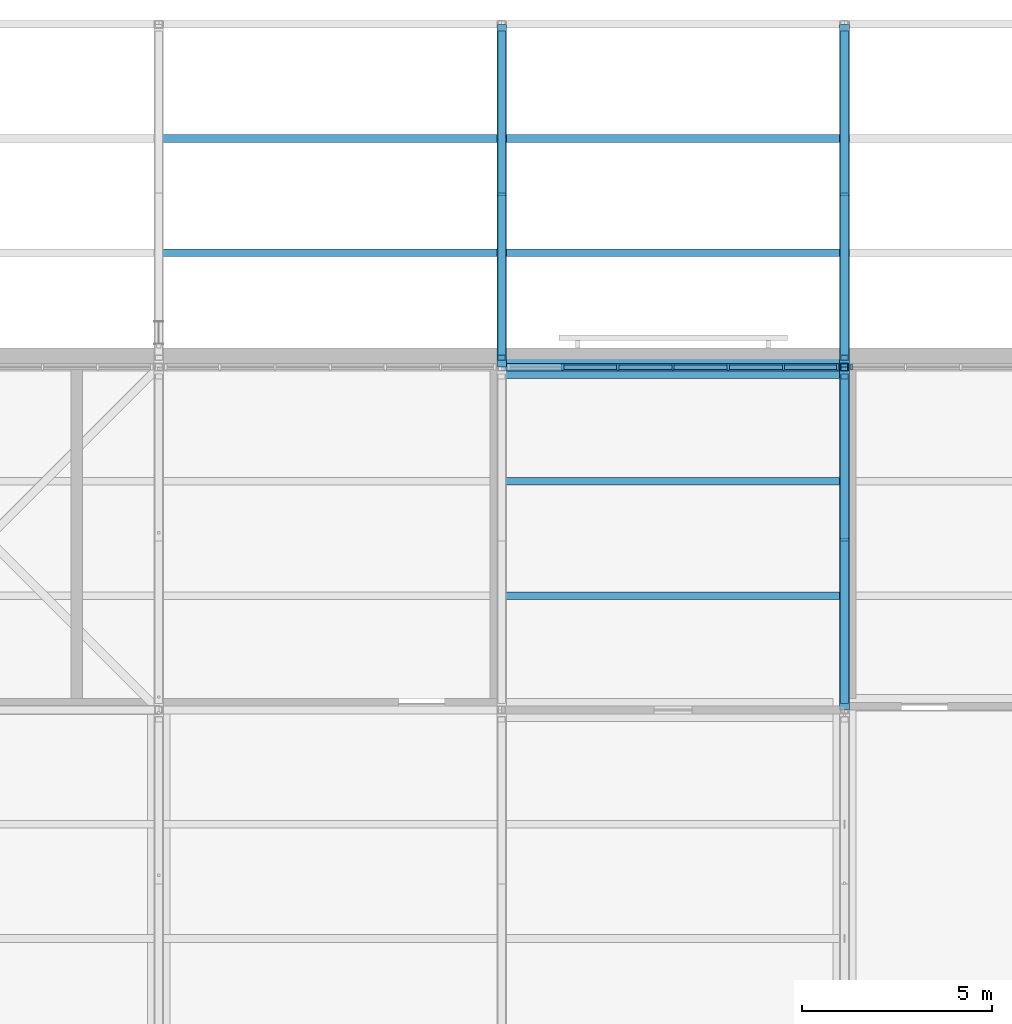
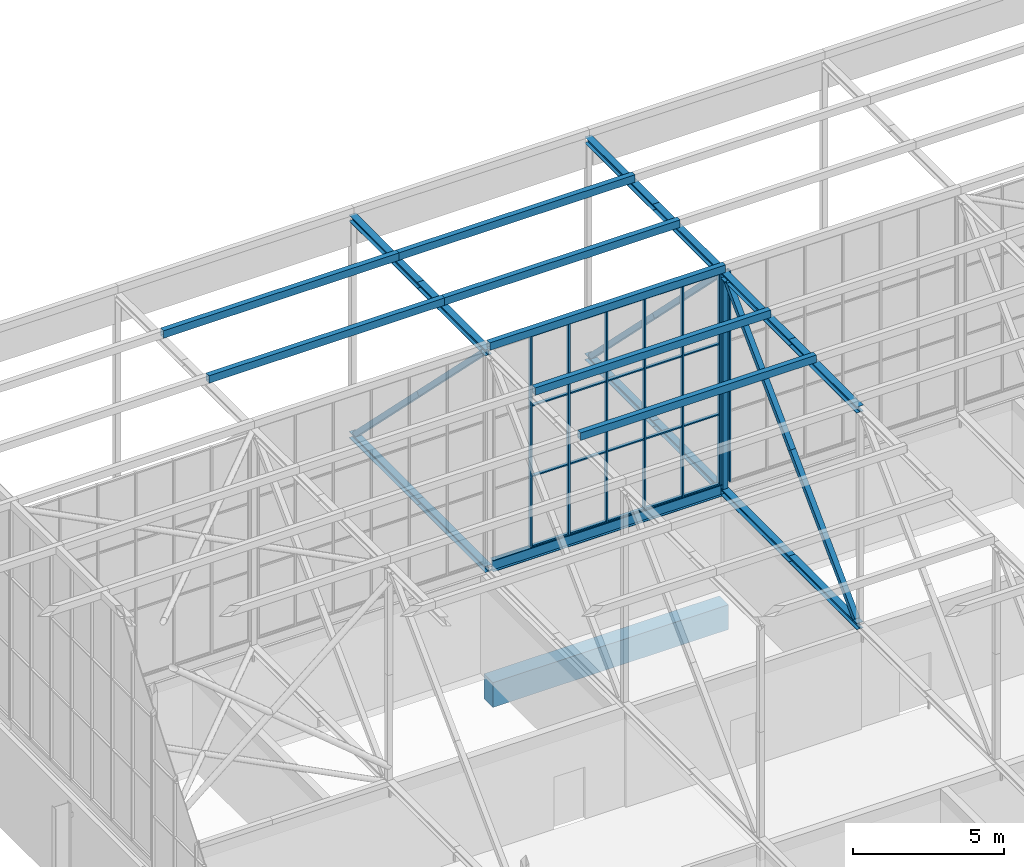
# One storey, part 115 of 646: 54 members, 2 beams, 2 elements without a shape of their own.
"""IFC4 building model written with IfcOpenShell, lengths in metres."""

from ifc_helpers import new_model, si_unit, direction, frame, origin, origin_2d, place, context, subcontext, project, spatial, rectangle, hollow_rectangle, i_section, extrude, material, material_profile, profile_set, type_object, element, aggregate, save


model = new_model("IFC4")

# Units and contexts
model_context = context("Model", 3, precision=1e-05, world=origin(), true_north=direction((0.0, 1.0)))
body_context = subcontext(model_context, "Body", "Model", "MODEL_VIEW")
ifc_project = project(units=[si_unit("LENGTHUNIT", "METRE"), si_unit("AREAUNIT", "SQUARE_METRE"), si_unit("VOLUMEUNIT", "CUBIC_METRE"), si_unit("PLANEANGLEUNIT", "RADIAN"), si_unit("MASSUNIT", "GRAM", prefix="KILO")], contexts=[model_context])

# Site, building, storey
site_placement = place(None, origin())
site = spatial("IfcSite", under=ifc_project, at=site_placement, CompositionType="ELEMENT")
building_placement = place(site_placement, origin())
building = spatial("IfcBuilding", under=site, at=building_placement, Name="Silverbay Arena", CompositionType="ELEMENT")
storey_placement = place(building_placement, frame((0.0, 0.0, 33.5)))
storey = spatial("IfcBuildingStorey", under=building, at=storey_placement, Name="L05", CompositionType="ELEMENT", Elevation=33.5)

# Members
ifc_material_1 = material(Name="Steel S355", Category="steel")
ifc_material_profile_1 = material_profile(ifc_material_1, i_section(OverallWidth=0.254638671875, OverallDepth=0.254150390625, WebThickness=0.008544921875, FlangeThickness=0.01416015625, at=origin_2d()), Name="UC 254x254x73")
ifc_profile_set_1 = profile_set([ifc_material_profile_1], Name="Steel S355")
member_type_1 = type_object("IfcMemberType", Name="Long-span bottom chord UC 254x254x73", PredefinedType="CHORD", material=ifc_profile_set_1)
for number, where, z_axis, x_axis, name in (
    (1, (81.0, 135.0, 4.126953125), (0.0, 1.0, 0.0), (-1.0, 0.0, 0.0), "ROOF TRUSS 10 bottom chord 15a"),
    (2, (81.0, 139.5, 4.126953125), (0.0, 1.0, 0.0), (-1.0, 0.0, 0.0), "ROOF TRUSS 10 bottom chord 15b"),
    (3, (81.0, 144.0, 4.126953125), (0.0, 1.0, 0.0), (-1.0, 0.0, 0.0), "ROOF TRUSS 10 bottom chord 16a"),
    (4, (81.0, 148.5, 4.126953125), (0.0, 1.0, 0.0), (-1.0, 0.0, 0.0), "ROOF TRUSS 10 bottom chord 16b"),
):
    element("IfcMember", number, at=place(storey_placement, frame(where, z_axis=z_axis, x_axis=x_axis)), inside=storey, type_object=member_type_1, Name=name, PredefinedType="CHORD", context=body_context, shape_type="SweptSolid", body=[
        extrude(i_section(OverallWidth=0.254638671875, OverallDepth=0.254150390625, WebThickness=0.008544921875, FlangeThickness=0.01416015625, at=origin_2d()), origin(), (0.0, 0.0, 1.0), 4.5),
    ])
ifc_material_2 = material(Name="Steel S355", Category="steel")
ifc_material_profile_2 = material_profile(ifc_material_2, i_section(OverallWidth=0.254638671875, OverallDepth=0.254150390625, WebThickness=0.008544921875, FlangeThickness=0.01416015625, at=origin_2d()), Name="UC 254x254x73")
ifc_profile_set_2 = profile_set([ifc_material_profile_2], Name="Steel S355")
member_type_2 = type_object("IfcMemberType", Name="Long-span top chord UC 254x254x73", PredefinedType="CHORD", material=ifc_profile_set_2)
for number, where, z_axis, x_axis, name in (
    (5, (81.0, 135.0, 12.873046875), (0.0, 1.0, 0.0), (-1.0, 0.0, 0.0), "ROOF TRUSS 10 top chord 15a"),
    (6, (81.0, 139.5, 12.873046875), (0.0, 1.0, 0.0), (-1.0, 0.0, 0.0), "ROOF TRUSS 10 top chord 15b"),
    (7, (81.0, 144.0, 12.873046875), (0.0, 1.0, 0.0), (-1.0, 0.0, 0.0), "ROOF TRUSS 10 top chord 16a"),
    (8, (81.0, 148.5, 12.873046875), (0.0, 1.0, 0.0), (-1.0, 0.0, 0.0), "ROOF TRUSS 10 top chord 16b"),
):
    element("IfcMember", number, at=place(storey_placement, frame(where, z_axis=z_axis, x_axis=x_axis)), inside=storey, type_object=member_type_2, Name=name, PredefinedType="CHORD", context=body_context, shape_type="SweptSolid", body=[
        extrude(i_section(OverallWidth=0.254638671875, OverallDepth=0.254150390625, WebThickness=0.008544921875, FlangeThickness=0.01416015625, at=origin_2d()), origin(), (0.0, 0.0, 1.0), 4.5),
    ])
ifc_material_3 = material(Name="Steel S355", Category="steel")
ifc_material_profile_3 = material_profile(ifc_material_3, hollow_rectangle(XDim=0.199951171875, YDim=0.199951171875, WallThickness=0.008056640625, at=origin_2d()), Name="SHS 200x200x8")
ifc_profile_set_3 = profile_set([ifc_material_profile_3], Name="Steel S355")
member_type_3 = type_object("IfcMemberType", Name="Long-span truss diagonal SHS 200x200x8", PredefinedType="BRACE", material=ifc_profile_set_3)
for number, where, z_axis, x_axis, name in (
    (9, (81.0, 143.75439453125, 12.745849609375), (0.0, -0.70781724692, -0.706395600894), (1.0, 0.0, 0.0), "ROOF TRUSS 10 diagonal 15a"),
    (10, (81.0, 139.5, 8.5), (0.0, -0.70781724692, -0.706395600894), (1.0, 0.0, 0.0), "ROOF TRUSS 10 diagonal 15b"),
    (11, (81.0, 144.24560546875, 12.745849609375), (0.0, 0.70781724692, -0.706395600894), (-1.0, 0.0, 0.0), "ROOF TRUSS 10 diagonal 16a"),
    (12, (81.0, 148.5, 8.5), (0.0, 0.70781724692, -0.706395600894), (-1.0, 0.0, 0.0), "ROOF TRUSS 10 diagonal 16b"),
):
    element("IfcMember", number, at=place(storey_placement, frame(where, z_axis=z_axis, x_axis=x_axis)), inside=storey, type_object=member_type_3, Name=name, PredefinedType="BRACE", context=body_context, shape_type="SweptSolid", body=[
        extrude(hollow_rectangle(XDim=0.199951171875, YDim=0.199951171875, WallThickness=0.008056640625, at=origin_2d()), origin(), (0.0, 0.0, 1.0), 6.010498046875),
    ])
ifc_material_4 = material(Name="Steel S355", Category="steel")
ifc_material_profile_4 = material_profile(ifc_material_4, hollow_rectangle(XDim=0.199951171875, YDim=0.199951171875, WallThickness=0.008056640625, at=origin_2d()), Name="SHS 200x200x8")
ifc_profile_set_4 = profile_set([ifc_material_profile_4], Name="Steel S355")
member_type_4 = type_object("IfcMemberType", Name="Long-span truss vertical SHS 200x200x8", PredefinedType="STRUT", material=ifc_profile_set_4)
for number, where, z_axis, x_axis, name in (
    (13, (81.0, 144.0, 4.254150390625), (0.0, 0.0, 1.0), (1.0, 0.0, 0.0), "ROOF TRUSS 10 vertical 16a"),
    (14, (81.0, 144.0, 8.5), (0.0, 0.0, 1.0), (1.0, 0.0, 0.0), "ROOF TRUSS 10 vertical 16b"),
):
    element("IfcMember", number, at=place(storey_placement, frame(where, z_axis=z_axis, x_axis=x_axis)), inside=storey, type_object=member_type_4, Name=name, PredefinedType="STRUT", context=body_context, shape_type="SweptSolid", body=[
        extrude(hollow_rectangle(XDim=0.199951171875, YDim=0.199951171875, WallThickness=0.008056640625, at=origin_2d()), origin(), (0.0, 0.0, 1.0), 4.245849609375),
    ])
ifc_material_5 = material(Name="Steel S355", Category="steel")
ifc_material_profile_5 = material_profile(ifc_material_5, i_section(OverallWidth=0.254638671875, OverallDepth=0.254150390625, WebThickness=0.008544921875, FlangeThickness=0.01416015625, at=origin_2d()), Name="UC 254x254x73")
ifc_profile_set_5 = profile_set([ifc_material_profile_5], Name="Steel S355")
member_type_5 = type_object("IfcMemberType", Name="Medium-span bottom chord UC 254x254x73", PredefinedType="CHORD", material=ifc_profile_set_5)
for number, where, z_axis, x_axis, name in (
    (15, (72.0, 144.0, 4.126953125), (0.0, 1.0, 0.0), (-1.0, 0.0, 0.0), "ROOF TRUSS 9 bottom chord 16a"),
    (16, (72.0, 148.5, 4.126953125), (0.0, 1.0, 0.0), (-1.0, 0.0, 0.0), "ROOF TRUSS 9 bottom chord 16b"),
):
    element("IfcMember", number, at=place(storey_placement, frame(where, z_axis=z_axis, x_axis=x_axis)), inside=storey, type_object=member_type_5, Name=name, PredefinedType="CHORD", context=body_context, shape_type="SweptSolid", body=[
        extrude(i_section(OverallWidth=0.254638671875, OverallDepth=0.254150390625, WebThickness=0.008544921875, FlangeThickness=0.01416015625, at=origin_2d()), origin(), (0.0, 0.0, 1.0), 4.5),
    ])
ifc_material_6 = material(Name="Steel S355", Category="steel")
ifc_material_profile_6 = material_profile(ifc_material_6, i_section(OverallWidth=0.254638671875, OverallDepth=0.254150390625, WebThickness=0.008544921875, FlangeThickness=0.01416015625, at=origin_2d()), Name="UC 254x254x73")
ifc_profile_set_6 = profile_set([ifc_material_profile_6], Name="Steel S355")
member_type_6 = type_object("IfcMemberType", Name="Medium-span top chord UC 254x254x73", PredefinedType="CHORD", material=ifc_profile_set_6)
for number, where, z_axis, x_axis, name in (
    (17, (72.0, 144.0, 12.873046875), (0.0, 1.0, 0.0), (-1.0, 0.0, 0.0), "ROOF TRUSS 9 top chord 16a"),
    (18, (72.0, 148.5, 12.873046875), (0.0, 1.0, 0.0), (-1.0, 0.0, 0.0), "ROOF TRUSS 9 top chord 16b"),
):
    element("IfcMember", number, at=place(storey_placement, frame(where, z_axis=z_axis, x_axis=x_axis)), inside=storey, type_object=member_type_6, Name=name, PredefinedType="CHORD", context=body_context, shape_type="SweptSolid", body=[
        extrude(i_section(OverallWidth=0.254638671875, OverallDepth=0.254150390625, WebThickness=0.008544921875, FlangeThickness=0.01416015625, at=origin_2d()), origin(), (0.0, 0.0, 1.0), 4.5),
    ])
ifc_material_7 = material(Name="Steel S355", Category="steel")
ifc_material_profile_7 = material_profile(ifc_material_7, hollow_rectangle(XDim=0.199951171875, YDim=0.199951171875, WallThickness=0.008056640625, at=origin_2d()), Name="SHS 200x200x8")
ifc_profile_set_7 = profile_set([ifc_material_profile_7], Name="Steel S355")
member_type_7 = type_object("IfcMemberType", Name="Medium-span truss diagonal SHS 200x200x8", PredefinedType="BRACE", material=ifc_profile_set_7)
for number, where, z_axis, x_axis, name in (
    (19, (72.0, 144.24560546875, 12.745849609375), (0.0, 0.70781724692, -0.706395600894), (-1.0, 0.0, 0.0), "ROOF TRUSS 9 diagonal 16a"),
    (20, (72.0, 148.5, 8.5), (0.0, 0.70781724692, -0.706395600894), (-1.0, 0.0, 0.0), "ROOF TRUSS 9 diagonal 16b"),
):
    element("IfcMember", number, at=place(storey_placement, frame(where, z_axis=z_axis, x_axis=x_axis)), inside=storey, type_object=member_type_7, Name=name, PredefinedType="BRACE", context=body_context, shape_type="SweptSolid", body=[
        extrude(hollow_rectangle(XDim=0.199951171875, YDim=0.199951171875, WallThickness=0.008056640625, at=origin_2d()), origin(), (0.0, 0.0, 1.0), 6.010498046875),
    ])

# Curtain wall, members
ifc_material_8 = material(Name="Aluminium framed glazing", Category="aluminium")
curtain_wall_type = type_object("IfcCurtainWallType", Name="Curtain wall clerestory 8693 x 8540", PredefinedType="NOTDEFINED", material=ifc_material_8)
curtain_wall_1_placement = place(storey_placement, origin())
curtain_wall_1 = element("IfcCurtainWall", 21, at=curtain_wall_1_placement, inside=storey, type_object=curtain_wall_type, Name="ROOF CLERESTORY CURTAIN WALL north bay 03", PredefinedType="NOTDEFINED")
ifc_material_9 = material(Name="Aluminium", Category="aluminium")
ifc_material_profile_8 = material_profile(ifc_material_9, rectangle(XDim=0.159912109375, YDim=0.06005859375, at=origin_2d()), Name="Mullion 60 x 160")
ifc_profile_set_8 = profile_set([ifc_material_profile_8], Name="Aluminium")
member_type_8 = type_object("IfcMemberType", Name="Mullion 60 x 160", PredefinedType="MULLION", material=ifc_profile_set_8)
member_1_placement = place(storey_placement, frame((73.6025390625, 144.0, 4.4599609375), z_axis=(0.0, 0.0, 1.0), x_axis=(0.0, 1.0, 0.0)))
member_1 = element("IfcMember", 22, at=member_1_placement, type_object=member_type_8, Name="CW55 mullion 2", PredefinedType="MULLION", context=body_context, shape_type="SweptSolid", body=[
    extrude(rectangle(XDim=0.159912109375, YDim=0.06005859375, at=origin_2d()), origin(), (0.0, 0.0, 1.0), 8.5400390625),
])
member_2_placement = place(storey_placement, frame((75.05126953125, 144.0, 4.4599609375), z_axis=(0.0, 0.0, 1.0), x_axis=(0.0, 1.0, 0.0)))
member_2 = element("IfcMember", 23, at=member_2_placement, type_object=member_type_8, Name="CW55 mullion 3", PredefinedType="MULLION", context=body_context, shape_type="SweptSolid", body=[
    extrude(rectangle(XDim=0.159912109375, YDim=0.06005859375, at=origin_2d()), origin(), (0.0, 0.0, 1.0), 8.5400390625),
])
member_3_placement = place(storey_placement, frame((76.5, 144.0, 4.4599609375), z_axis=(0.0, 0.0, 1.0), x_axis=(0.0, 1.0, 0.0)))
member_3 = element("IfcMember", 24, at=member_3_placement, type_object=member_type_8, Name="CW55 mullion 4", PredefinedType="MULLION", context=body_context, shape_type="SweptSolid", body=[
    extrude(rectangle(XDim=0.159912109375, YDim=0.06005859375, at=origin_2d()), origin(), (0.0, 0.0, 1.0), 8.5400390625),
])
member_4_placement = place(storey_placement, frame((77.94873046875, 144.0, 4.4599609375), z_axis=(0.0, 0.0, 1.0), x_axis=(0.0, 1.0, 0.0)))
member_4 = element("IfcMember", 25, at=member_4_placement, type_object=member_type_8, Name="CW55 mullion 5", PredefinedType="MULLION", context=body_context, shape_type="SweptSolid", body=[
    extrude(rectangle(XDim=0.159912109375, YDim=0.06005859375, at=origin_2d()), origin(), (0.0, 0.0, 1.0), 8.5400390625),
])
member_5_placement = place(storey_placement, frame((79.3974609375, 144.0, 4.4599609375), z_axis=(0.0, 0.0, 1.0), x_axis=(0.0, 1.0, 0.0)))
member_5 = element("IfcMember", 26, at=member_5_placement, type_object=member_type_8, Name="CW55 mullion 6", PredefinedType="MULLION", context=body_context, shape_type="SweptSolid", body=[
    extrude(rectangle(XDim=0.159912109375, YDim=0.06005859375, at=origin_2d()), origin(), (0.0, 0.0, 1.0), 8.5400390625),
])
member_6_placement = place(storey_placement, frame((80.81640625, 144.0, 4.4599609375), z_axis=(0.0, 0.0, 1.0), x_axis=(0.0, 1.0, 0.0)))
member_6 = element("IfcMember", 27, at=member_6_placement, type_object=member_type_8, Name="CW55 mullion 7", PredefinedType="MULLION", context=body_context, shape_type="SweptSolid", body=[
    extrude(rectangle(XDim=0.159912109375, YDim=0.06005859375, at=origin_2d()), origin(), (0.0, 0.0, 1.0), 8.5400390625),
])

# Curtain wall, member
curtain_wall_2_placement = place(storey_placement, origin())
curtain_wall_2 = element("IfcCurtainWall", 28, at=curtain_wall_2_placement, inside=storey, type_object=curtain_wall_type, Name="ROOF CLERESTORY CURTAIN WALL north bay 04", PredefinedType="NOTDEFINED")
member_7_placement = place(storey_placement, frame((81.18359375, 144.0, 4.4599609375), z_axis=(0.0, 0.0, 1.0), x_axis=(0.0, 1.0, 0.0)))
member_7 = element("IfcMember", 29, at=member_7_placement, type_object=member_type_8, Name="CW55 mullion 1", PredefinedType="MULLION", context=body_context, shape_type="SweptSolid", body=[
    extrude(rectangle(XDim=0.159912109375, YDim=0.06005859375, at=origin_2d()), origin(), (0.0, 0.0, 1.0), 8.5400390625),
])
aggregate(curtain_wall_2, [member_7])

# Members
ifc_material_10 = material(Name="Steel S355", Category="steel")
ifc_material_profile_9 = material_profile(ifc_material_10, hollow_rectangle(XDim=0.199951171875, YDim=0.300048828125, WallThickness=0.00634765625, at=origin_2d()), Name="RHS 300x200x6.3")
ifc_profile_set_9 = profile_set([ifc_material_profile_9], Name="Steel S355")
member_type_9 = type_object("IfcMemberType", Name="Purlin RHS 300x200x6.3", PredefinedType="PURLIN", material=ifc_profile_set_9)
member_8_placement = place(storey_placement, frame((72.0, 138.0, 13.14990234375), z_axis=(1.0, 0.0, 0.0), x_axis=(0.0, 1.0, 0.0)))
element("IfcMember", 30, at=member_8_placement, inside=storey, type_object=member_type_9, Name="ROOF PURLIN 9-10 line 44", PredefinedType="PURLIN", context=body_context, shape_type="SweptSolid", body=[
    extrude(hollow_rectangle(XDim=0.199951171875, YDim=0.300048828125, WallThickness=0.00634765625, at=origin_2d()), origin(), (0.0, 0.0, 1.0), 9.0),
])
ifc_material_11 = material(Name="Steel S355", Category="steel")
ifc_material_profile_10 = material_profile(ifc_material_11, hollow_rectangle(XDim=0.199951171875, YDim=0.300048828125, WallThickness=0.008056640625, at=origin_2d()), Name="RHS 300x200x8")
ifc_profile_set_10 = profile_set([ifc_material_profile_10], Name="Steel S355")
member_type_10 = type_object("IfcMemberType", Name="Purlin RHS 300x200x8", PredefinedType="PURLIN", material=ifc_profile_set_10)
for number, where, z_axis, x_axis, name in (
    (31, (63.0, 147.0, 13.14990234375), (1.0, 0.0, 0.0), (0.0, 1.0, 0.0), "ROOF PURLIN 8-9 line 47"),
    (32, (63.0, 150.0, 13.14990234375), (1.0, 0.0, 0.0), (0.0, 1.0, 0.0), "ROOF PURLIN 8-9 line 48"),
    (33, (72.0, 141.0, 13.14990234375), (1.0, 0.0, 0.0), (0.0, 1.0, 0.0), "ROOF PURLIN 9-10 line 45"),
    (34, (72.0, 144.0, 13.14990234375), (1.0, 0.0, 0.0), (0.0, 1.0, 0.0), "ROOF PURLIN 9-10 line 46"),
    (35, (72.0, 147.0, 13.14990234375), (1.0, 0.0, 0.0), (0.0, 1.0, 0.0), "ROOF PURLIN 9-10 line 47"),
    (36, (72.0, 150.0, 13.14990234375), (1.0, 0.0, 0.0), (0.0, 1.0, 0.0), "ROOF PURLIN 9-10 line 48"),
):
    element("IfcMember", number, at=place(storey_placement, frame(where, z_axis=z_axis, x_axis=x_axis)), inside=storey, type_object=member_type_10, Name=name, PredefinedType="PURLIN", context=body_context, shape_type="SweptSolid", body=[
        extrude(hollow_rectangle(XDim=0.199951171875, YDim=0.300048828125, WallThickness=0.008056640625, at=origin_2d()), origin(), (0.0, 0.0, 1.0), 9.0),
    ])

# Beams
ifc_material_12 = material(Name="Concrete Grade C45", Category="concrete")
ifc_material_profile_11 = material_profile(ifc_material_12, rectangle(XDim=0.60009765625, YDim=1.0, at=origin_2d()), Name="RC 600x1000")
ifc_profile_set_11 = profile_set([ifc_material_profile_11], Name="Concrete Grade C45")
beam_type_1 = type_object("IfcBeamType", Name="RC beam 600x1000", PredefinedType="BEAM", material=ifc_profile_set_11)
beam_1_placement = place(storey_placement, frame((72.0, 144.0, -0.800048828125), z_axis=(1.0, 0.0, 0.0), x_axis=(0.0, 1.0, 0.0)))
element("IfcBeam", 37, at=beam_1_placement, inside=storey, type_object=beam_type_1, Name="Floor beam L05 066", PredefinedType="BEAM", context=body_context, shape_type="SweptSolid", body=[
    extrude(rectangle(XDim=0.60009765625, YDim=1.0, at=origin_2d()), origin(), (0.0, 0.0, 1.0), 9.0),
])
ifc_material_13 = material(Name="Steel S355", Category="steel")
ifc_material_profile_12 = material_profile(ifc_material_13, i_section(OverallWidth=0.19140625, OverallDepth=0.4599609375, WebThickness=0.010009765625, FlangeThickness=0.01611328125, at=origin_2d()), Name="UB 457x191x82")
ifc_profile_set_12 = profile_set([ifc_material_profile_12], Name="Steel S355")
beam_type_2 = type_object("IfcBeamType", Name="Ring beam UB 457x191x82", PredefinedType="BEAM", material=ifc_profile_set_12)
beam_2_placement = place(storey_placement, frame((72.127197265625, 144.0, 4.22998046875), z_axis=(1.0, 0.0, 0.0), x_axis=(0.0, 1.0, 0.0)))
element("IfcBeam", 38, at=beam_2_placement, inside=storey, type_object=beam_type_2, Name="RING BEAM north facade 9-10", PredefinedType="BEAM", context=body_context, shape_type="SweptSolid", body=[
    extrude(i_section(OverallWidth=0.19140625, OverallDepth=0.4599609375, WebThickness=0.010009765625, FlangeThickness=0.01611328125, at=origin_2d()), origin(), (0.0, 0.0, 1.0), 8.74560546875),
])

# Member
ifc_material_14 = material(Name="Aluminium", Category="aluminium")
ifc_material_profile_13 = material_profile(ifc_material_14, rectangle(XDim=0.1201171875, YDim=0.050048828125, at=origin_2d()), Name="Transom 50 x 120")
ifc_profile_set_13 = profile_set([ifc_material_profile_13], Name="Aluminium")
member_type_11 = type_object("IfcMemberType", Name="Transom 50 x 120", PredefinedType="USERDEFINED", material=ifc_profile_set_13)
member_9_placement = place(storey_placement, frame((73.632568359375, 144.0, 4.485107421875), z_axis=(1.0, 0.0, 0.0), x_axis=(0.0, 1.0, 0.0)))
member_9 = element("IfcMember", 39, at=member_9_placement, type_object=member_type_11, Name="CW55 transom 2.1", ObjectType="TRANSOM", PredefinedType="USERDEFINED", context=body_context, shape_type="SweptSolid", body=[
    extrude(rectangle(XDim=0.1201171875, YDim=0.050048828125, at=origin_2d()), origin(), (0.0, 0.0, 1.0), 1.388671875),
])

member_10_placement = place(storey_placement, frame((73.632568359375, 144.0, 7.306640625), z_axis=(1.0, 0.0, 0.0), x_axis=(0.0, 1.0, 0.0)))
member_10 = element("IfcMember", 40, at=member_10_placement, type_object=member_type_11, Name="CW55 transom 2.2", ObjectType="TRANSOM", PredefinedType="USERDEFINED", context=body_context, shape_type="SweptSolid", body=[
    extrude(rectangle(XDim=0.1201171875, YDim=0.050048828125, at=origin_2d()), origin(), (0.0, 0.0, 1.0), 1.388671875),
])

member_11_placement = place(storey_placement, frame((73.632568359375, 144.0, 10.1533203125), z_axis=(1.0, 0.0, 0.0), x_axis=(0.0, 1.0, 0.0)))
member_11 = element("IfcMember", 41, at=member_11_placement, type_object=member_type_11, Name="CW55 transom 2.3", ObjectType="TRANSOM", PredefinedType="USERDEFINED", context=body_context, shape_type="SweptSolid", body=[
    extrude(rectangle(XDim=0.1201171875, YDim=0.050048828125, at=origin_2d()), origin(), (0.0, 0.0, 1.0), 1.388671875),
])

member_12_placement = place(storey_placement, frame((73.632568359375, 144.0, 12.97509765625), z_axis=(1.0, 0.0, 0.0), x_axis=(0.0, 1.0, 0.0)))
member_12 = element("IfcMember", 42, at=member_12_placement, type_object=member_type_11, Name="CW55 transom 2.4", ObjectType="TRANSOM", PredefinedType="USERDEFINED", context=body_context, shape_type="SweptSolid", body=[
    extrude(rectangle(XDim=0.1201171875, YDim=0.050048828125, at=origin_2d()), origin(), (0.0, 0.0, 1.0), 1.388671875),
])

member_13_placement = place(storey_placement, frame((75.081298828125, 144.0, 4.485107421875), z_axis=(1.0, 0.0, 0.0), x_axis=(0.0, 1.0, 0.0)))
member_13 = element("IfcMember", 43, at=member_13_placement, type_object=member_type_11, Name="CW55 transom 3.1", ObjectType="TRANSOM", PredefinedType="USERDEFINED", context=body_context, shape_type="SweptSolid", body=[
    extrude(rectangle(XDim=0.1201171875, YDim=0.050048828125, at=origin_2d()), origin(), (0.0, 0.0, 1.0), 1.388671875),
])

member_14_placement = place(storey_placement, frame((75.081298828125, 144.0, 7.306640625), z_axis=(1.0, 0.0, 0.0), x_axis=(0.0, 1.0, 0.0)))
member_14 = element("IfcMember", 44, at=member_14_placement, type_object=member_type_11, Name="CW55 transom 3.2", ObjectType="TRANSOM", PredefinedType="USERDEFINED", context=body_context, shape_type="SweptSolid", body=[
    extrude(rectangle(XDim=0.1201171875, YDim=0.050048828125, at=origin_2d()), origin(), (0.0, 0.0, 1.0), 1.388671875),
])

member_15_placement = place(storey_placement, frame((75.081298828125, 144.0, 10.1533203125), z_axis=(1.0, 0.0, 0.0), x_axis=(0.0, 1.0, 0.0)))
member_15 = element("IfcMember", 45, at=member_15_placement, type_object=member_type_11, Name="CW55 transom 3.3", ObjectType="TRANSOM", PredefinedType="USERDEFINED", context=body_context, shape_type="SweptSolid", body=[
    extrude(rectangle(XDim=0.1201171875, YDim=0.050048828125, at=origin_2d()), origin(), (0.0, 0.0, 1.0), 1.388671875),
])

member_16_placement = place(storey_placement, frame((75.081298828125, 144.0, 12.97509765625), z_axis=(1.0, 0.0, 0.0), x_axis=(0.0, 1.0, 0.0)))
member_16 = element("IfcMember", 46, at=member_16_placement, type_object=member_type_11, Name="CW55 transom 3.4", ObjectType="TRANSOM", PredefinedType="USERDEFINED", context=body_context, shape_type="SweptSolid", body=[
    extrude(rectangle(XDim=0.1201171875, YDim=0.050048828125, at=origin_2d()), origin(), (0.0, 0.0, 1.0), 1.388671875),
])

member_17_placement = place(storey_placement, frame((76.530029296875, 144.0, 4.485107421875), z_axis=(1.0, 0.0, 0.0), x_axis=(0.0, 1.0, 0.0)))
member_17 = element("IfcMember", 47, at=member_17_placement, type_object=member_type_11, Name="CW55 transom 4.1", ObjectType="TRANSOM", PredefinedType="USERDEFINED", context=body_context, shape_type="SweptSolid", body=[
    extrude(rectangle(XDim=0.1201171875, YDim=0.050048828125, at=origin_2d()), origin(), (0.0, 0.0, 1.0), 1.388671875),
])

member_18_placement = place(storey_placement, frame((76.530029296875, 144.0, 7.306640625), z_axis=(1.0, 0.0, 0.0), x_axis=(0.0, 1.0, 0.0)))
member_18 = element("IfcMember", 48, at=member_18_placement, type_object=member_type_11, Name="CW55 transom 4.2", ObjectType="TRANSOM", PredefinedType="USERDEFINED", context=body_context, shape_type="SweptSolid", body=[
    extrude(rectangle(XDim=0.1201171875, YDim=0.050048828125, at=origin_2d()), origin(), (0.0, 0.0, 1.0), 1.388671875),
])

member_19_placement = place(storey_placement, frame((76.530029296875, 144.0, 10.1533203125), z_axis=(1.0, 0.0, 0.0), x_axis=(0.0, 1.0, 0.0)))
member_19 = element("IfcMember", 49, at=member_19_placement, type_object=member_type_11, Name="CW55 transom 4.3", ObjectType="TRANSOM", PredefinedType="USERDEFINED", context=body_context, shape_type="SweptSolid", body=[
    extrude(rectangle(XDim=0.1201171875, YDim=0.050048828125, at=origin_2d()), origin(), (0.0, 0.0, 1.0), 1.388671875),
])

member_20_placement = place(storey_placement, frame((76.530029296875, 144.0, 12.97509765625), z_axis=(1.0, 0.0, 0.0), x_axis=(0.0, 1.0, 0.0)))
member_20 = element("IfcMember", 50, at=member_20_placement, type_object=member_type_11, Name="CW55 transom 4.4", ObjectType="TRANSOM", PredefinedType="USERDEFINED", context=body_context, shape_type="SweptSolid", body=[
    extrude(rectangle(XDim=0.1201171875, YDim=0.050048828125, at=origin_2d()), origin(), (0.0, 0.0, 1.0), 1.388671875),
])

member_21_placement = place(storey_placement, frame((77.978759765625, 144.0, 4.485107421875), z_axis=(1.0, 0.0, 0.0), x_axis=(0.0, 1.0, 0.0)))
member_21 = element("IfcMember", 51, at=member_21_placement, type_object=member_type_11, Name="CW55 transom 5.1", ObjectType="TRANSOM", PredefinedType="USERDEFINED", context=body_context, shape_type="SweptSolid", body=[
    extrude(rectangle(XDim=0.1201171875, YDim=0.050048828125, at=origin_2d()), origin(), (0.0, 0.0, 1.0), 1.388671875),
])

member_22_placement = place(storey_placement, frame((77.978759765625, 144.0, 7.306640625), z_axis=(1.0, 0.0, 0.0), x_axis=(0.0, 1.0, 0.0)))
member_22 = element("IfcMember", 52, at=member_22_placement, type_object=member_type_11, Name="CW55 transom 5.2", ObjectType="TRANSOM", PredefinedType="USERDEFINED", context=body_context, shape_type="SweptSolid", body=[
    extrude(rectangle(XDim=0.1201171875, YDim=0.050048828125, at=origin_2d()), origin(), (0.0, 0.0, 1.0), 1.388671875),
])

member_23_placement = place(storey_placement, frame((77.978759765625, 144.0, 10.1533203125), z_axis=(1.0, 0.0, 0.0), x_axis=(0.0, 1.0, 0.0)))
member_23 = element("IfcMember", 53, at=member_23_placement, type_object=member_type_11, Name="CW55 transom 5.3", ObjectType="TRANSOM", PredefinedType="USERDEFINED", context=body_context, shape_type="SweptSolid", body=[
    extrude(rectangle(XDim=0.1201171875, YDim=0.050048828125, at=origin_2d()), origin(), (0.0, 0.0, 1.0), 1.388671875),
])

member_24_placement = place(storey_placement, frame((77.978759765625, 144.0, 12.97509765625), z_axis=(1.0, 0.0, 0.0), x_axis=(0.0, 1.0, 0.0)))
member_24 = element("IfcMember", 54, at=member_24_placement, type_object=member_type_11, Name="CW55 transom 5.4", ObjectType="TRANSOM", PredefinedType="USERDEFINED", context=body_context, shape_type="SweptSolid", body=[
    extrude(rectangle(XDim=0.1201171875, YDim=0.050048828125, at=origin_2d()), origin(), (0.0, 0.0, 1.0), 1.388671875),
])

member_25_placement = place(storey_placement, frame((79.427490234375, 144.0, 4.485107421875), z_axis=(1.0, 0.0, 0.0), x_axis=(0.0, 1.0, 0.0)))
member_25 = element("IfcMember", 55, at=member_25_placement, type_object=member_type_11, Name="CW55 transom 6.1", ObjectType="TRANSOM", PredefinedType="USERDEFINED", context=body_context, shape_type="SweptSolid", body=[
    extrude(rectangle(XDim=0.1201171875, YDim=0.050048828125, at=origin_2d()), origin(), (0.0, 0.0, 1.0), 1.35888671875),
])

member_26_placement = place(storey_placement, frame((79.427490234375, 144.0, 7.306640625), z_axis=(1.0, 0.0, 0.0), x_axis=(0.0, 1.0, 0.0)))
member_26 = element("IfcMember", 56, at=member_26_placement, type_object=member_type_11, Name="CW55 transom 6.2", ObjectType="TRANSOM", PredefinedType="USERDEFINED", context=body_context, shape_type="SweptSolid", body=[
    extrude(rectangle(XDim=0.1201171875, YDim=0.050048828125, at=origin_2d()), origin(), (0.0, 0.0, 1.0), 1.35888671875),
])

member_27_placement = place(storey_placement, frame((79.427490234375, 144.0, 10.1533203125), z_axis=(1.0, 0.0, 0.0), x_axis=(0.0, 1.0, 0.0)))
member_27 = element("IfcMember", 57, at=member_27_placement, type_object=member_type_11, Name="CW55 transom 6.3", ObjectType="TRANSOM", PredefinedType="USERDEFINED", context=body_context, shape_type="SweptSolid", body=[
    extrude(rectangle(XDim=0.1201171875, YDim=0.050048828125, at=origin_2d()), origin(), (0.0, 0.0, 1.0), 1.35888671875),
])

member_28_placement = place(storey_placement, frame((79.427490234375, 144.0, 12.97509765625), z_axis=(1.0, 0.0, 0.0), x_axis=(0.0, 1.0, 0.0)))
member_28 = element("IfcMember", 58, at=member_28_placement, type_object=member_type_11, Name="CW55 transom 6.4", ObjectType="TRANSOM", PredefinedType="USERDEFINED", context=body_context, shape_type="SweptSolid", body=[
    extrude(rectangle(XDim=0.1201171875, YDim=0.050048828125, at=origin_2d()), origin(), (0.0, 0.0, 1.0), 1.35888671875),
])

aggregate(curtain_wall_1, [member_1, member_2, member_3, member_4, member_5, member_6, member_9, member_10, member_11, member_12, member_13, member_14, member_15, member_16, member_17, member_18, member_19, member_20, member_21, member_22, member_23, member_24, member_25, member_26, member_27, member_28])

save(model, "model.ifc")
